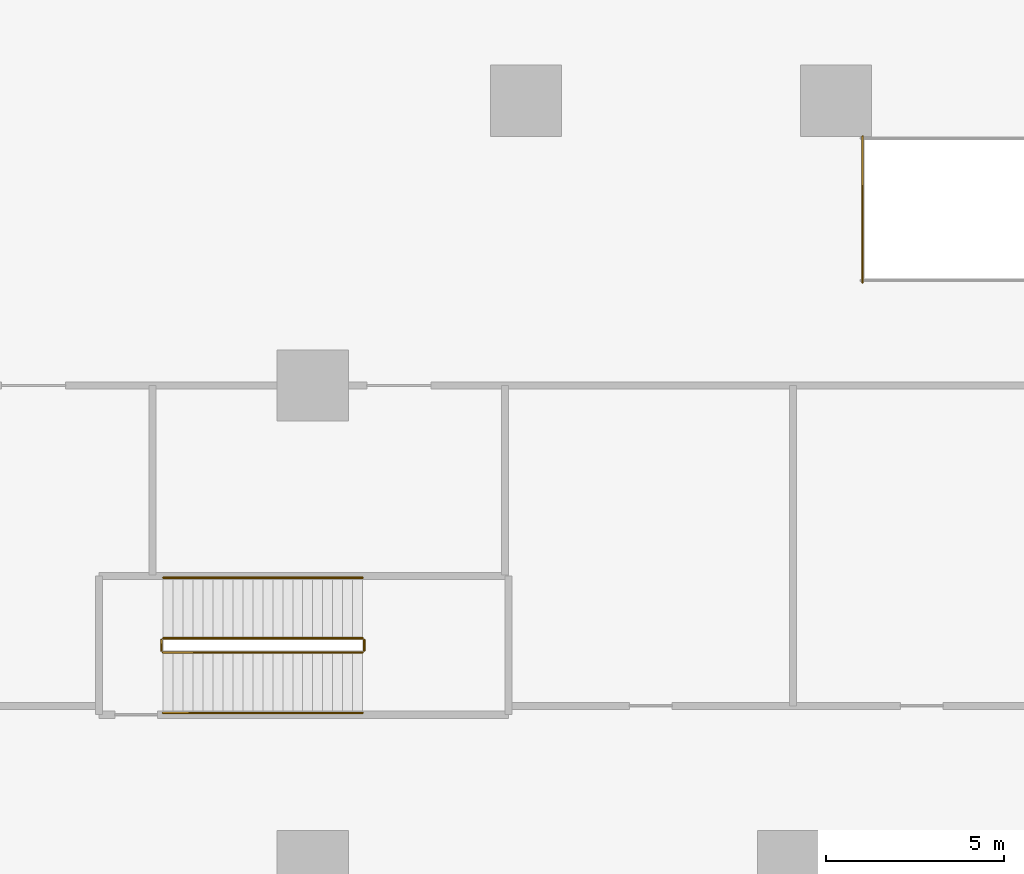
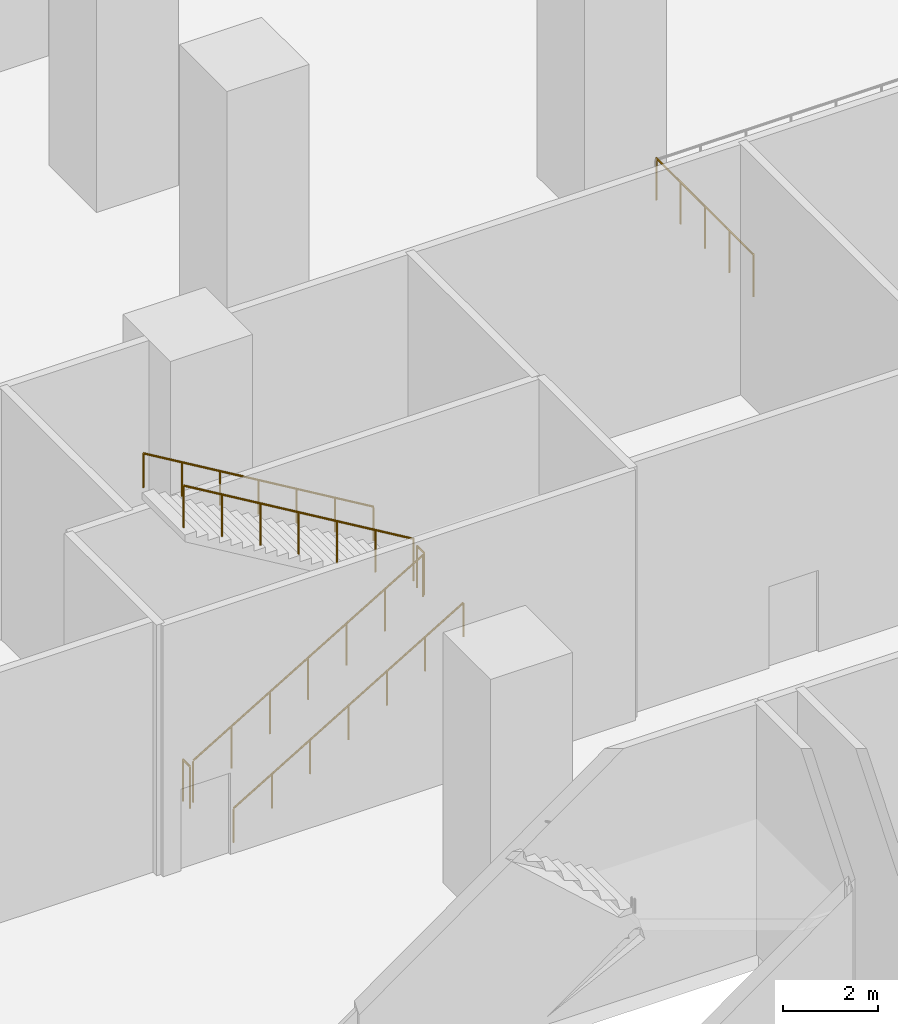
# One storey, part 22 of 37: 7 railings.
"""IFC4 building model written with IfcOpenShell, lengths in metres."""

from ifc_helpers import new_model, si_unit, direction, frame, origin, origin_2d, place, context, subcontext, project, spatial, circle, extrude, material, type_object, element, save


model = new_model("IFC4")

# Units and contexts
model_context = context("Model", 3, precision=1e-05, world=origin(), true_north=direction((0.0, 1.0)))
body_context = subcontext(model_context, "Body", "Model", "MODEL_VIEW")
ifc_project = project(units=[si_unit("LENGTHUNIT", "METRE"), si_unit("AREAUNIT", "SQUARE_METRE"), si_unit("VOLUMEUNIT", "CUBIC_METRE"), si_unit("PLANEANGLEUNIT", "RADIAN"), si_unit("MASSUNIT", "GRAM", prefix="KILO")], contexts=[model_context])

# Site, building, storey
site_placement = place(None, origin())
site = spatial("IfcSite", under=ifc_project, at=site_placement, CompositionType="ELEMENT")
building_placement = place(site_placement, origin())
building = spatial("IfcBuilding", under=site, at=building_placement, Name="Tamarind Cross Interchange Tower", CompositionType="ELEMENT")
storey_placement = place(building_placement, frame((0.0, 0.0, -7.0)))
storey = spatial("IfcBuildingStorey", under=building, at=storey_placement, Name="B1", CompositionType="ELEMENT", Elevation=-7.0)

# Railings
ifc_material_1 = material(Name="Public stair guard")
railing_type_1 = type_object("IfcRailingType", Name="Public stair guard", PredefinedType="GUARDRAIL", material=ifc_material_1)
railing_1_placement = place(storey_placement, frame((-38.550048828125, -6.5, 0.0)))
element("IfcRailing", 1, at=railing_1_placement, inside=storey, type_object=railing_type_1, Name="B1 MS-W top well guard 4", PredefinedType="GUARDRAIL", context=body_context, shape_type="SweptSolid", body=[
    extrude(circle(Radius=0.02392578125, at=origin_2d()), frame((0.0, 0.0, 1.076171875), z_axis=(0.0, -1.0, 0.0), x_axis=(1.0, 0.0, 0.0)), (0.0, 0.0, 1.0), 4.10009765625),
    extrude(circle(Radius=0.02099609375, at=origin_2d()), origin(), (0.0, 0.0, 1.0), 1.052001953125),
    extrude(circle(Radius=0.02099609375, at=origin_2d()), frame((0.0, -1.02490234375, 0.0)), (0.0, 0.0, 1.0), 1.052001953125),
    extrude(circle(Radius=0.02099609375, at=origin_2d()), frame((0.0, -2.050048828125, 0.0)), (0.0, 0.0, 1.0), 1.052001953125),
    extrude(circle(Radius=0.02099609375, at=origin_2d()), frame((0.0, -3.0751953125, 0.0)), (0.0, 0.0, 1.0), 1.052001953125),
    extrude(circle(Radius=0.02099609375, at=origin_2d()), frame((0.0, -4.10009765625, 0.0)), (0.0, 0.0, 1.0), 1.052001953125),
])
railing_2_placement = place(storey_placement, frame((-58.199951171875, -21.0, 0.166748046875)))
element("IfcRailing", 2, at=railing_2_placement, inside=storey, type_object=railing_type_1, Name="B1 XS-P08 stair guard 1", PredefinedType="GUARDRAIL", context=body_context, shape_type="SweptSolid", body=[
    extrude(circle(Radius=0.02392578125, at=origin_2d()), frame((0.0, 0.0, 1.076171875), z_axis=(0.859292492371, 0.0, 0.511484518392), x_axis=(0.0, 1.0, 0.0)), (0.0, 0.0, 1.0), 6.516845703125),
    extrude(circle(Radius=0.02099609375, at=origin_2d()), origin(), (0.0, 0.0, 1.0), 1.052001953125),
    extrude(circle(Radius=0.02099609375, at=origin_2d()), frame((0.933349609375, 0.0, 0.5556640625)), (0.0, 0.0, 1.0), 1.052001953125),
    extrude(circle(Radius=0.02099609375, at=origin_2d()), frame((1.86669921875, 0.0, 1.111083984375)), (0.0, 0.0, 1.0), 1.052001953125),
    extrude(circle(Radius=0.02099609375, at=origin_2d()), frame((2.7998046875, 0.0, 1.66650390625)), (0.0, 0.0, 1.0), 1.052001953125),
    extrude(circle(Radius=0.02099609375, at=origin_2d()), frame((3.733154296875, 0.0, 2.22216796875)), (0.0, 0.0, 1.0), 1.052001953125),
    extrude(circle(Radius=0.02099609375, at=origin_2d()), frame((4.66650390625, 0.0, 2.77783203125)), (0.0, 0.0, 1.0), 1.052001953125),
    extrude(circle(Radius=0.02099609375, at=origin_2d()), frame((5.599853515625, 0.0, 3.333251953125)), (0.0, 0.0, 1.0), 1.052001953125),
])
railing_3_placement = place(storey_placement, frame((-52.550048828125, -20.949951171875, 3.5)))
element("IfcRailing", 3, at=railing_3_placement, inside=storey, type_object=railing_type_1, Name="B1 XS-P08 stair guard 2", PredefinedType="GUARDRAIL", context=body_context, shape_type="SweptSolid", body=[
    extrude(circle(Radius=0.02392578125, at=origin_2d()), frame((0.0, 0.0, 1.076171875), z_axis=(0.0, 1.0, 0.0), x_axis=(-1.0, 0.0, 0.0)), (0.0, 0.0, 1.0), 0.300048828125),
    extrude(circle(Radius=0.02099609375, at=origin_2d()), origin(), (0.0, 0.0, 1.0), 1.052001953125),
    extrude(circle(Radius=0.02099609375, at=origin_2d()), frame((0.0, 0.300048828125, 0.0)), (0.0, 0.0, 1.0), 1.052001953125),
])
railing_4_placement = place(storey_placement, frame((-52.60009765625, -20.60009765625, 3.666748046875)))
element("IfcRailing", 4, at=railing_4_placement, inside=storey, type_object=railing_type_1, Name="B1 XS-P08 stair guard 3", PredefinedType="GUARDRAIL", context=body_context, shape_type="SweptSolid", body=[
    extrude(circle(Radius=0.02392578125, at=origin_2d()), frame((0.0, 0.0, 1.076171875), z_axis=(-0.859292492371, 0.0, 0.511484518392), x_axis=(0.0, -1.0, 0.0)), (0.0, 0.0, 1.0), 6.516845703125),
    extrude(circle(Radius=0.02099609375, at=origin_2d()), origin(), (0.0, 0.0, 1.0), 1.052001953125),
    extrude(circle(Radius=0.02099609375, at=origin_2d()), frame((-0.933349609375, 0.0, 0.5556640625)), (0.0, 0.0, 1.0), 1.052001953125),
    extrude(circle(Radius=0.02099609375, at=origin_2d()), frame((-1.86669921875, 0.0, 1.111083984375)), (0.0, 0.0, 1.0), 1.052001953125),
    extrude(circle(Radius=0.02099609375, at=origin_2d()), frame((-2.7998046875, 0.0, 1.66650390625)), (0.0, 0.0, 1.0), 1.052001953125),
    extrude(circle(Radius=0.02099609375, at=origin_2d()), frame((-3.733154296875, 0.0, 2.22216796875)), (0.0, 0.0, 1.0), 1.052001953125),
    extrude(circle(Radius=0.02099609375, at=origin_2d()), frame((-4.66650390625, 0.0, 2.77783203125)), (0.0, 0.0, 1.0), 1.052001953125),
    extrude(circle(Radius=0.02099609375, at=origin_2d()), frame((-5.599853515625, 0.0, 3.333251953125)), (0.0, 0.0, 1.0), 1.052001953125),
])
railing_5_placement = place(storey_placement, frame((-58.25, -20.949951171875, 0.0)))
element("IfcRailing", 5, at=railing_5_placement, inside=storey, type_object=railing_type_1, Name="B1 XS-P08 stair guard 4", PredefinedType="GUARDRAIL", context=body_context, shape_type="SweptSolid", body=[
    extrude(circle(Radius=0.02392578125, at=origin_2d()), frame((0.0, 0.0, 1.076171875), z_axis=(0.0, 1.0, 0.0), x_axis=(-1.0, 0.0, 0.0)), (0.0, 0.0, 1.0), 0.300048828125),
    extrude(circle(Radius=0.02099609375, at=origin_2d()), origin(), (0.0, 0.0, 1.0), 1.052001953125),
    extrude(circle(Radius=0.02099609375, at=origin_2d()), frame((0.0, 0.300048828125, 0.0)), (0.0, 0.0, 1.0), 1.052001953125),
])
ifc_material_2 = material(Name="Public stair handrail")
railing_type_2 = type_object("IfcRailingType", Name="Public stair handrail", PredefinedType="HANDRAIL", material=ifc_material_2)
railing_6_placement = place(storey_placement, frame((-58.199951171875, -22.699951171875, 0.166748046875)))
element("IfcRailing", 6, at=railing_6_placement, inside=storey, type_object=railing_type_2, Name="B1 XS-P08 stair handrail 1", PredefinedType="HANDRAIL", context=body_context, shape_type="SweptSolid", body=[
    extrude(circle(Radius=0.02392578125, at=origin_2d()), frame((0.0, 0.0, 0.8759765625), z_axis=(0.859292492371, 0.0, 0.511484518392), x_axis=(0.0, 1.0, 0.0)), (0.0, 0.0, 1.0), 6.516845703125),
    extrude(circle(Radius=0.02099609375, at=origin_2d()), origin(), (0.0, 0.0, 1.0), 0.851806640625),
    extrude(circle(Radius=0.02099609375, at=origin_2d()), frame((0.933349609375, 0.0, 0.5556640625)), (0.0, 0.0, 1.0), 0.851806640625),
    extrude(circle(Radius=0.02099609375, at=origin_2d()), frame((1.86669921875, 0.0, 1.111083984375)), (0.0, 0.0, 1.0), 0.851806640625),
    extrude(circle(Radius=0.02099609375, at=origin_2d()), frame((2.7998046875, 0.0, 1.66650390625)), (0.0, 0.0, 1.0), 0.851806640625),
    extrude(circle(Radius=0.02099609375, at=origin_2d()), frame((3.733154296875, 0.0, 2.22216796875)), (0.0, 0.0, 1.0), 0.851806640625),
    extrude(circle(Radius=0.02099609375, at=origin_2d()), frame((4.66650390625, 0.0, 2.77783203125)), (0.0, 0.0, 1.0), 0.851806640625),
    extrude(circle(Radius=0.02099609375, at=origin_2d()), frame((5.599853515625, 0.0, 3.333251953125)), (0.0, 0.0, 1.0), 0.851806640625),
])
railing_7_placement = place(storey_placement, frame((-52.60009765625, -18.89990234375, 3.666748046875)))
element("IfcRailing", 7, at=railing_7_placement, inside=storey, type_object=railing_type_2, Name="B1 XS-P08 stair handrail 2", PredefinedType="HANDRAIL", context=body_context, shape_type="SweptSolid", body=[
    extrude(circle(Radius=0.02392578125, at=origin_2d()), frame((0.0, 0.0, 0.8759765625), z_axis=(-0.859292492371, 0.0, 0.511484518392), x_axis=(0.0, -1.0, 0.0)), (0.0, 0.0, 1.0), 6.516845703125),
    extrude(circle(Radius=0.02099609375, at=origin_2d()), origin(), (0.0, 0.0, 1.0), 0.851806640625),
    extrude(circle(Radius=0.02099609375, at=origin_2d()), frame((-0.933349609375, 0.0, 0.5556640625)), (0.0, 0.0, 1.0), 0.851806640625),
    extrude(circle(Radius=0.02099609375, at=origin_2d()), frame((-1.86669921875, 0.0, 1.111083984375)), (0.0, 0.0, 1.0), 0.851806640625),
    extrude(circle(Radius=0.02099609375, at=origin_2d()), frame((-2.7998046875, 0.0, 1.66650390625)), (0.0, 0.0, 1.0), 0.851806640625),
    extrude(circle(Radius=0.02099609375, at=origin_2d()), frame((-3.733154296875, 0.0, 2.22216796875)), (0.0, 0.0, 1.0), 0.851806640625),
    extrude(circle(Radius=0.02099609375, at=origin_2d()), frame((-4.66650390625, 0.0, 2.77783203125)), (0.0, 0.0, 1.0), 0.851806640625),
    extrude(circle(Radius=0.02099609375, at=origin_2d()), frame((-5.599853515625, 0.0, 3.333251953125)), (0.0, 0.0, 1.0), 0.851806640625),
])

save(model, "model.ifc")
